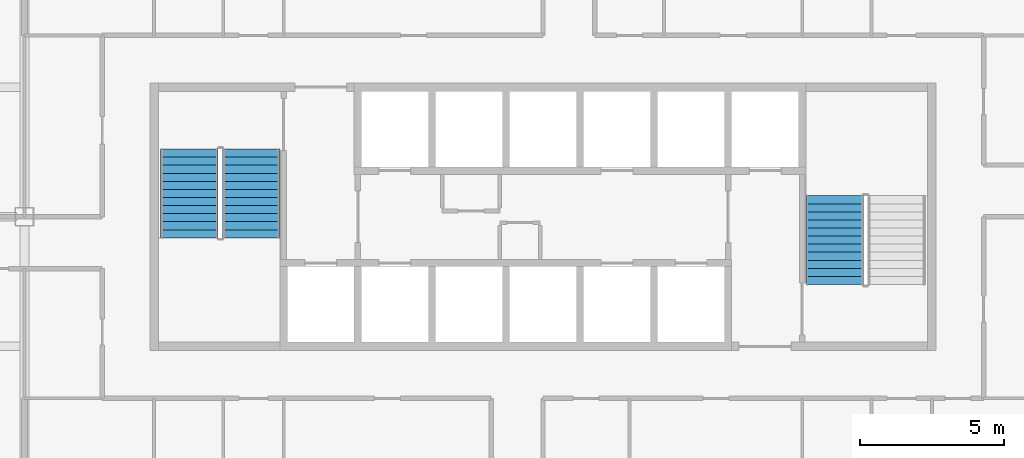
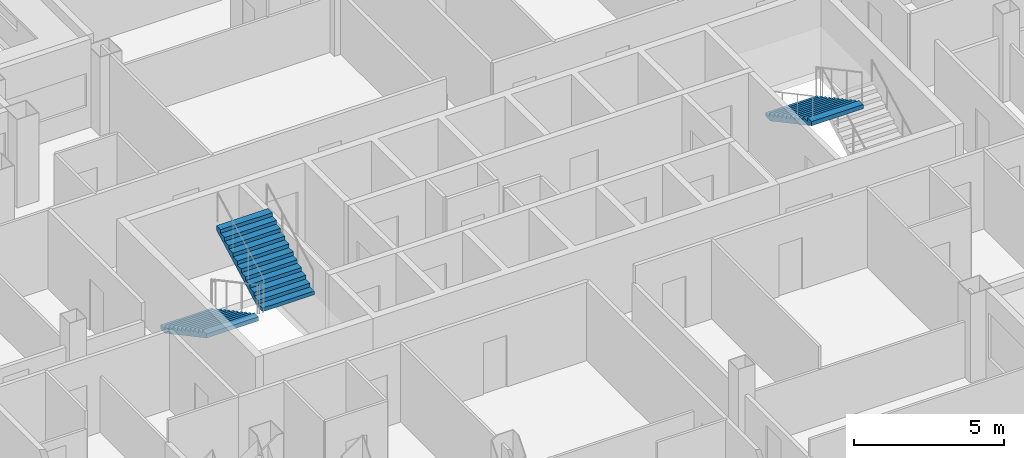
# One storey, part 13 of 17: 3 stair flights, 2 elements without a shape of their own.
"""IFC4 building model written with IfcOpenShell, lengths in metres."""

from ifc_helpers import new_model, si_unit, direction, frame, origin, place, context, subcontext, project, spatial, polygons, material, type_object, element, aggregate, save


model = new_model("IFC4")

# Units and contexts
model_context = context("Model", 3, precision=1e-05, world=origin(), true_north=direction((0.0, 1.0)))
body_context = subcontext(model_context, "Body", "Model", "MODEL_VIEW")
ifc_project = project(units=[si_unit("LENGTHUNIT", "METRE"), si_unit("AREAUNIT", "SQUARE_METRE"), si_unit("VOLUMEUNIT", "CUBIC_METRE"), si_unit("PLANEANGLEUNIT", "RADIAN"), si_unit("MASSUNIT", "GRAM", prefix="KILO")], contexts=[model_context])

# Site, building, storey
site_placement = place(None, origin())
site = spatial("IfcSite", under=ifc_project, at=site_placement, CompositionType="ELEMENT")
building_placement = place(site_placement, origin())
building = spatial("IfcBuilding", under=site, at=building_placement, Name="Caravel Reach Hotel and Residences", CompositionType="ELEMENT")
storey_placement = place(building_placement, frame((0.0, 0.0, 136.800048828125)))
storey = spatial("IfcBuildingStorey", under=building, at=storey_placement, Name="L34", CompositionType="ELEMENT", Elevation=136.800048828125)

# Stair, stair flights
ifc_material_1 = material(Name="Concrete C40", Category="concrete")
stair_type = type_object("IfcStairType", Name="Core stair", PredefinedType="HALF_TURN_STAIR", material=ifc_material_1)
stair_1_placement = place(storey_placement, origin())
stair_1 = element("IfcStair", 1, at=stair_1_placement, inside=storey, type_object=stair_type, Name="L34 Exit stair A", PredefinedType="HALF_TURN_STAIR")
ifc_material_2 = material(Name="Concrete C40", Category="concrete")
stair_flight_type = type_object("IfcStairFlightType", Name="Core stair flight", PredefinedType="STRAIGHT", material=ifc_material_2)
stair_flight_1_placement = place(storey_placement, frame((19.22509765625, 29.35009765625, 0.0), z_axis=(0.0, 0.0, 1.0), x_axis=(0.0, -1.0, 0.0)))
stair_flight_1 = element("IfcStairFlight", 2, at=stair_flight_1_placement, type_object=stair_flight_type, Name="ST-A flight 1", NumberOfRisers=12, NumberOfTreads=11, PredefinedType="STRAIGHT", RiserHeight=0.15, TreadLength=0.28, context=body_context, shape_type="Tessellation", body=[
    polygons([(0.3174408016601862, 1.0, 0.0), (0.3174408016601862, 0.6666666666666667, 0.0), (0.3174408016601862, 0.33333333333333337, 0.0), (0.3174408016601862, 0.0, 0.0), (0.3174408016601862, -0.33333333333333326, 0.0), (0.3174408016601862, -0.6666666666666667, 0.0), (0.3174408016601862, -1.0, 0.0), (3.081, 1.0, 1.479942427682043), (3.081, 0.6666666666666667, 1.479942427682043), (3.081, 0.33333333333333337, 1.479942427682043), (3.081, 0.0, 1.479942427682043), (3.081, -0.33333333333333326, 1.479942427682043), (3.081, -0.6666666666666667, 1.479942427682043), (3.081, -1.0, 1.479942427682043), (3.081, 1.0, 1.65), (3.081, 0.6666666666666667, 1.65), (3.081, 0.33333333333333337, 1.65), (3.081, 0.0, 1.65), (3.081, -0.33333333333333326, 1.65), (3.081, -0.6666666666666667, 1.65), (3.081, -1.0, 1.65), (2.8000000000000003, 1.0, 1.65), (2.8000000000000003, 0.6666666666666667, 1.65), (2.8000000000000003, 0.33333333333333337, 1.65), (2.8000000000000003, 0.0, 1.65), (2.8000000000000003, -0.33333333333333326, 1.65), (2.8000000000000003, -0.6666666666666667, 1.65), (2.8000000000000003, -1.0, 1.65), (2.8000000000000003, 1.0, 1.5), (2.8000000000000003, 0.6666666666666667, 1.5), (2.8000000000000003, 0.33333333333333337, 1.5), (2.8000000000000003, 0.0, 1.5), (2.8000000000000003, -0.33333333333333326, 1.5), (2.8000000000000003, -0.6666666666666667, 1.5), (2.8000000000000003, -1.0, 1.5), (2.5200000000000005, 1.0, 1.5), (2.5200000000000005, 0.6666666666666667, 1.5), (2.5200000000000005, 0.33333333333333337, 1.5), (2.5200000000000005, 0.0, 1.5), (2.5200000000000005, -0.33333333333333326, 1.5), (2.5200000000000005, -0.6666666666666667, 1.5), (2.5200000000000005, -1.0, 1.5), (2.5200000000000005, 1.0, 1.3499999999999999), (2.5200000000000005, 0.6666666666666667, 1.3499999999999999), (2.5200000000000005, 0.33333333333333337, 1.3499999999999999), (2.5200000000000005, 0.0, 1.3499999999999999), (2.5200000000000005, -0.33333333333333326, 1.3499999999999999), (2.5200000000000005, -0.6666666666666667, 1.3499999999999999), (2.5200000000000005, -1.0, 1.3499999999999999), (2.24, 1.0, 1.3499999999999999), (2.24, 0.6666666666666667, 1.3499999999999999), (2.24, 0.33333333333333337, 1.3499999999999999), (2.24, 0.0, 1.3499999999999999), (2.24, -0.33333333333333326, 1.3499999999999999), (2.24, -0.6666666666666667, 1.3499999999999999), (2.24, -1.0, 1.3499999999999999), (2.24, 1.0, 1.2), (2.24, 0.6666666666666667, 1.2), (2.24, 0.33333333333333337, 1.2), (2.24, 0.0, 1.2), (2.24, -0.33333333333333326, 1.2), (2.24, -0.6666666666666667, 1.2), (2.24, -1.0, 1.2), (1.9600000000000002, 1.0, 1.2), (1.9600000000000002, 0.6666666666666667, 1.2), (1.9600000000000002, 0.33333333333333337, 1.2), (1.9600000000000002, 0.0, 1.2), (1.9600000000000002, -0.33333333333333326, 1.2), (1.9600000000000002, -0.6666666666666667, 1.2), (1.9600000000000002, -1.0, 1.2), (1.9600000000000002, 1.0, 1.05), (1.9600000000000002, 0.6666666666666667, 1.05), (1.9600000000000002, 0.33333333333333337, 1.05), (1.9600000000000002, 0.0, 1.05), (1.9600000000000002, -0.33333333333333326, 1.05), (1.9600000000000002, -0.6666666666666667, 1.05), (1.9600000000000002, -1.0, 1.05), (1.6800000000000002, 1.0, 1.05), (1.6800000000000002, 0.6666666666666667, 1.05), (1.6800000000000002, 0.33333333333333337, 1.05), (1.6800000000000002, 0.0, 1.05), (1.6800000000000002, -0.33333333333333326, 1.05), (1.6800000000000002, -0.6666666666666667, 1.05), (1.6800000000000002, -1.0, 1.05), (1.6800000000000002, 1.0, 0.8999999999999999), (1.6800000000000002, 0.6666666666666667, 0.8999999999999999), (1.6800000000000002, 0.33333333333333337, 0.8999999999999999), (1.6800000000000002, 0.0, 0.8999999999999999), (1.6800000000000002, -0.33333333333333326, 0.8999999999999999), (1.6800000000000002, -0.6666666666666667, 0.8999999999999999), (1.6800000000000002, -1.0, 0.8999999999999999), (1.4000000000000001, 1.0, 0.8999999999999999), (1.4000000000000001, 0.6666666666666667, 0.8999999999999999), (1.4000000000000001, 0.33333333333333337, 0.8999999999999999), (1.4000000000000001, 0.0, 0.8999999999999999), (1.4000000000000001, -0.33333333333333326, 0.8999999999999999), (1.4000000000000001, -0.6666666666666667, 0.8999999999999999), (1.4000000000000001, -1.0, 0.8999999999999999), (1.4000000000000001, 1.0, 0.75), (1.4000000000000001, 0.6666666666666667, 0.75), (1.4000000000000001, 0.33333333333333337, 0.75), (1.4000000000000001, 0.0, 0.75), (1.4000000000000001, -0.33333333333333326, 0.75), (1.4000000000000001, -0.6666666666666667, 0.75), (1.4000000000000001, -1.0, 0.75), (1.12, 1.0, 0.75), (1.12, 0.6666666666666667, 0.75), (1.12, 0.33333333333333337, 0.75), (1.12, 0.0, 0.75), (1.12, -0.33333333333333326, 0.75), (1.12, -0.6666666666666667, 0.75), (1.12, -1.0, 0.75), (1.12, 1.0, 0.6), (1.12, 0.6666666666666667, 0.6), (1.12, 0.33333333333333337, 0.6), (1.12, 0.0, 0.6), (1.12, -0.33333333333333326, 0.6), (1.12, -0.6666666666666667, 0.6), (1.12, -1.0, 0.6), (0.8400000000000001, 1.0, 0.6), (0.8400000000000001, 0.6666666666666667, 0.6), (0.8400000000000001, 0.33333333333333337, 0.6), (0.8400000000000001, 0.0, 0.6), (0.8400000000000001, -0.33333333333333326, 0.6), (0.8400000000000001, -0.6666666666666667, 0.6), (0.8400000000000001, -1.0, 0.6), (0.8400000000000001, 1.0, 0.44999999999999996), (0.8400000000000001, 0.6666666666666667, 0.44999999999999996), (0.8400000000000001, 0.33333333333333337, 0.44999999999999996), (0.8400000000000001, 0.0, 0.44999999999999996), (0.8400000000000001, -0.33333333333333326, 0.44999999999999996), (0.8400000000000001, -0.6666666666666667, 0.44999999999999996), (0.8400000000000001, -1.0, 0.44999999999999996), (0.56, 1.0, 0.44999999999999996), (0.56, 0.6666666666666667, 0.44999999999999996), (0.56, 0.33333333333333337, 0.44999999999999996), (0.56, 0.0, 0.44999999999999996), (0.56, -0.33333333333333326, 0.44999999999999996), (0.56, -0.6666666666666667, 0.44999999999999996), (0.56, -1.0, 0.44999999999999996), (0.56, 1.0, 0.3), (0.56, 0.6666666666666667, 0.3), (0.56, 0.33333333333333337, 0.3), (0.56, 0.0, 0.3), (0.56, -0.33333333333333326, 0.3), (0.56, -0.6666666666666667, 0.3), (0.56, -1.0, 0.3), (0.28, 1.0, 0.3), (0.28, 0.6666666666666667, 0.3), (0.28, 0.33333333333333337, 0.3), (0.28, 0.0, 0.3), (0.28, -0.33333333333333326, 0.3), (0.28, -0.6666666666666667, 0.3), (0.28, -1.0, 0.3), (0.28, 1.0, 0.15), (0.28, 0.6666666666666667, 0.15), (0.28, 0.33333333333333337, 0.15), (0.28, 0.0, 0.15), (0.28, -0.33333333333333326, 0.15), (0.28, -0.6666666666666667, 0.15), (0.28, -1.0, 0.15), (-0.001, 1.0, 0.15), (-0.001, 0.6666666666666667, 0.15), (-0.001, 0.33333333333333337, 0.15), (-0.001, 0.0, 0.15), (-0.001, -0.33333333333333326, 0.15), (-0.001, -0.6666666666666667, 0.15), (-0.001, -1.0, 0.15), (-0.001, 1.0, 0.0), (-0.001, 0.6666666666666667, 0.0), (-0.001, 0.33333333333333337, 0.0), (-0.001, 0.0, 0.0), (-0.001, -0.33333333333333326, 0.0), (-0.001, -0.6666666666666667, 0.0), (-0.001, -1.0, 0.0)], [[[169, 162, 155, 148, 141, 134, 127, 120, 113, 106, 99, 92, 85, 78, 71, 64, 57, 50, 43, 36, 29, 22, 15, 8, 1]], [[7, 14, 21, 28, 35, 42, 49, 56, 63, 70, 77, 84, 91, 98, 105, 112, 119, 126, 133, 140, 147, 154, 161, 168, 175]], [[1, 8, 9, 2]], [[2, 9, 10, 3]], [[3, 10, 11, 4]], [[4, 11, 12, 5]], [[5, 12, 13, 6]], [[6, 13, 14, 7]], [[8, 15, 16, 9]], [[9, 16, 17, 10]], [[10, 17, 18, 11]], [[11, 18, 19, 12]], [[12, 19, 20, 13]], [[13, 20, 21, 14]], [[15, 22, 23, 16]], [[16, 23, 24, 17]], [[17, 24, 25, 18]], [[18, 25, 26, 19]], [[19, 26, 27, 20]], [[20, 27, 28, 21]], [[22, 29, 30, 23]], [[23, 30, 31, 24]], [[24, 31, 32, 25]], [[25, 32, 33, 26]], [[26, 33, 34, 27]], [[27, 34, 35, 28]], [[29, 36, 37, 30]], [[30, 37, 38, 31]], [[31, 38, 39, 32]], [[32, 39, 40, 33]], [[33, 40, 41, 34]], [[34, 41, 42, 35]], [[36, 43, 44, 37]], [[37, 44, 45, 38]], [[38, 45, 46, 39]], [[39, 46, 47, 40]], [[40, 47, 48, 41]], [[41, 48, 49, 42]], [[43, 50, 51, 44]], [[44, 51, 52, 45]], [[45, 52, 53, 46]], [[46, 53, 54, 47]], [[47, 54, 55, 48]], [[48, 55, 56, 49]], [[50, 57, 58, 51]], [[51, 58, 59, 52]], [[52, 59, 60, 53]], [[53, 60, 61, 54]], [[54, 61, 62, 55]], [[55, 62, 63, 56]], [[57, 64, 65, 58]], [[58, 65, 66, 59]], [[59, 66, 67, 60]], [[60, 67, 68, 61]], [[61, 68, 69, 62]], [[62, 69, 70, 63]], [[64, 71, 72, 65]], [[65, 72, 73, 66]], [[66, 73, 74, 67]], [[67, 74, 75, 68]], [[68, 75, 76, 69]], [[69, 76, 77, 70]], [[71, 78, 79, 72]], [[72, 79, 80, 73]], [[73, 80, 81, 74]], [[74, 81, 82, 75]], [[75, 82, 83, 76]], [[76, 83, 84, 77]], [[78, 85, 86, 79]], [[79, 86, 87, 80]], [[80, 87, 88, 81]], [[81, 88, 89, 82]], [[82, 89, 90, 83]], [[83, 90, 91, 84]], [[85, 92, 93, 86]], [[86, 93, 94, 87]], [[87, 94, 95, 88]], [[88, 95, 96, 89]], [[89, 96, 97, 90]], [[90, 97, 98, 91]], [[92, 99, 100, 93]], [[93, 100, 101, 94]], [[94, 101, 102, 95]], [[95, 102, 103, 96]], [[96, 103, 104, 97]], [[97, 104, 105, 98]], [[99, 106, 107, 100]], [[100, 107, 108, 101]], [[101, 108, 109, 102]], [[102, 109, 110, 103]], [[103, 110, 111, 104]], [[104, 111, 112, 105]], [[106, 113, 114, 107]], [[107, 114, 115, 108]], [[108, 115, 116, 109]], [[109, 116, 117, 110]], [[110, 117, 118, 111]], [[111, 118, 119, 112]], [[113, 120, 121, 114]], [[114, 121, 122, 115]], [[115, 122, 123, 116]], [[116, 123, 124, 117]], [[117, 124, 125, 118]], [[118, 125, 126, 119]], [[120, 127, 128, 121]], [[121, 128, 129, 122]], [[122, 129, 130, 123]], [[123, 130, 131, 124]], [[124, 131, 132, 125]], [[125, 132, 133, 126]], [[127, 134, 135, 128]], [[128, 135, 136, 129]], [[129, 136, 137, 130]], [[130, 137, 138, 131]], [[131, 138, 139, 132]], [[132, 139, 140, 133]], [[134, 141, 142, 135]], [[135, 142, 143, 136]], [[136, 143, 144, 137]], [[137, 144, 145, 138]], [[138, 145, 146, 139]], [[139, 146, 147, 140]], [[141, 148, 149, 142]], [[142, 149, 150, 143]], [[143, 150, 151, 144]], [[144, 151, 152, 145]], [[145, 152, 153, 146]], [[146, 153, 154, 147]], [[148, 155, 156, 149]], [[149, 156, 157, 150]], [[150, 157, 158, 151]], [[151, 158, 159, 152]], [[152, 159, 160, 153]], [[153, 160, 161, 154]], [[155, 162, 163, 156]], [[156, 163, 164, 157]], [[157, 164, 165, 158]], [[158, 165, 166, 159]], [[159, 166, 167, 160]], [[160, 167, 168, 161]], [[162, 169, 170, 163]], [[163, 170, 171, 164]], [[164, 171, 172, 165]], [[165, 172, 173, 166]], [[166, 173, 174, 167]], [[167, 174, 175, 168]], [[169, 1, 2, 170]], [[170, 2, 3, 171]], [[171, 3, 4, 172]], [[172, 4, 5, 173]], [[173, 5, 6, 174]], [[174, 6, 7, 175]]], closed=True),
])
stair_flight_2_placement = place(storey_placement, frame((21.375, 26.27001953125, 1.800048828125), z_axis=(0.0, 0.0, 1.0), x_axis=(0.0, 1.0, 0.0)))
stair_flight_2 = element("IfcStairFlight", 3, at=stair_flight_2_placement, type_object=stair_flight_type, Name="ST-A flight 2", NumberOfRisers=12, NumberOfTreads=11, PredefinedType="STRAIGHT", RiserHeight=0.15, TreadLength=0.28, context=body_context, shape_type="Tessellation", body=[
    polygons([(0.3174408016601862, 1.0, 0.0), (0.3174408016601862, 0.6666666666666667, 0.0), (0.3174408016601862, 0.33333333333333337, 0.0), (0.3174408016601862, 0.0, 0.0), (0.3174408016601862, -0.33333333333333326, 0.0), (0.3174408016601862, -0.6666666666666667, 0.0), (0.3174408016601862, -1.0, 0.0), (3.081, 1.0, 1.479942427682043), (3.081, 0.6666666666666667, 1.479942427682043), (3.081, 0.33333333333333337, 1.479942427682043), (3.081, 0.0, 1.479942427682043), (3.081, -0.33333333333333326, 1.479942427682043), (3.081, -0.6666666666666667, 1.479942427682043), (3.081, -1.0, 1.479942427682043), (3.081, 1.0, 1.65), (3.081, 0.6666666666666667, 1.65), (3.081, 0.33333333333333337, 1.65), (3.081, 0.0, 1.65), (3.081, -0.33333333333333326, 1.65), (3.081, -0.6666666666666667, 1.65), (3.081, -1.0, 1.65), (2.8000000000000003, 1.0, 1.65), (2.8000000000000003, 0.6666666666666667, 1.65), (2.8000000000000003, 0.33333333333333337, 1.65), (2.8000000000000003, 0.0, 1.65), (2.8000000000000003, -0.33333333333333326, 1.65), (2.8000000000000003, -0.6666666666666667, 1.65), (2.8000000000000003, -1.0, 1.65), (2.8000000000000003, 1.0, 1.5), (2.8000000000000003, 0.6666666666666667, 1.5), (2.8000000000000003, 0.33333333333333337, 1.5), (2.8000000000000003, 0.0, 1.5), (2.8000000000000003, -0.33333333333333326, 1.5), (2.8000000000000003, -0.6666666666666667, 1.5), (2.8000000000000003, -1.0, 1.5), (2.5200000000000005, 1.0, 1.5), (2.5200000000000005, 0.6666666666666667, 1.5), (2.5200000000000005, 0.33333333333333337, 1.5), (2.5200000000000005, 0.0, 1.5), (2.5200000000000005, -0.33333333333333326, 1.5), (2.5200000000000005, -0.6666666666666667, 1.5), (2.5200000000000005, -1.0, 1.5), (2.5200000000000005, 1.0, 1.3499999999999999), (2.5200000000000005, 0.6666666666666667, 1.3499999999999999), (2.5200000000000005, 0.33333333333333337, 1.3499999999999999), (2.5200000000000005, 0.0, 1.3499999999999999), (2.5200000000000005, -0.33333333333333326, 1.3499999999999999), (2.5200000000000005, -0.6666666666666667, 1.3499999999999999), (2.5200000000000005, -1.0, 1.3499999999999999), (2.24, 1.0, 1.3499999999999999), (2.24, 0.6666666666666667, 1.3499999999999999), (2.24, 0.33333333333333337, 1.3499999999999999), (2.24, 0.0, 1.3499999999999999), (2.24, -0.33333333333333326, 1.3499999999999999), (2.24, -0.6666666666666667, 1.3499999999999999), (2.24, -1.0, 1.3499999999999999), (2.24, 1.0, 1.2), (2.24, 0.6666666666666667, 1.2), (2.24, 0.33333333333333337, 1.2), (2.24, 0.0, 1.2), (2.24, -0.33333333333333326, 1.2), (2.24, -0.6666666666666667, 1.2), (2.24, -1.0, 1.2), (1.9600000000000002, 1.0, 1.2), (1.9600000000000002, 0.6666666666666667, 1.2), (1.9600000000000002, 0.33333333333333337, 1.2), (1.9600000000000002, 0.0, 1.2), (1.9600000000000002, -0.33333333333333326, 1.2), (1.9600000000000002, -0.6666666666666667, 1.2), (1.9600000000000002, -1.0, 1.2), (1.9600000000000002, 1.0, 1.05), (1.9600000000000002, 0.6666666666666667, 1.05), (1.9600000000000002, 0.33333333333333337, 1.05), (1.9600000000000002, 0.0, 1.05), (1.9600000000000002, -0.33333333333333326, 1.05), (1.9600000000000002, -0.6666666666666667, 1.05), (1.9600000000000002, -1.0, 1.05), (1.6800000000000002, 1.0, 1.05), (1.6800000000000002, 0.6666666666666667, 1.05), (1.6800000000000002, 0.33333333333333337, 1.05), (1.6800000000000002, 0.0, 1.05), (1.6800000000000002, -0.33333333333333326, 1.05), (1.6800000000000002, -0.6666666666666667, 1.05), (1.6800000000000002, -1.0, 1.05), (1.6800000000000002, 1.0, 0.8999999999999999), (1.6800000000000002, 0.6666666666666667, 0.8999999999999999), (1.6800000000000002, 0.33333333333333337, 0.8999999999999999), (1.6800000000000002, 0.0, 0.8999999999999999), (1.6800000000000002, -0.33333333333333326, 0.8999999999999999), (1.6800000000000002, -0.6666666666666667, 0.8999999999999999), (1.6800000000000002, -1.0, 0.8999999999999999), (1.4000000000000001, 1.0, 0.8999999999999999), (1.4000000000000001, 0.6666666666666667, 0.8999999999999999), (1.4000000000000001, 0.33333333333333337, 0.8999999999999999), (1.4000000000000001, 0.0, 0.8999999999999999), (1.4000000000000001, -0.33333333333333326, 0.8999999999999999), (1.4000000000000001, -0.6666666666666667, 0.8999999999999999), (1.4000000000000001, -1.0, 0.8999999999999999), (1.4000000000000001, 1.0, 0.75), (1.4000000000000001, 0.6666666666666667, 0.75), (1.4000000000000001, 0.33333333333333337, 0.75), (1.4000000000000001, 0.0, 0.75), (1.4000000000000001, -0.33333333333333326, 0.75), (1.4000000000000001, -0.6666666666666667, 0.75), (1.4000000000000001, -1.0, 0.75), (1.12, 1.0, 0.75), (1.12, 0.6666666666666667, 0.75), (1.12, 0.33333333333333337, 0.75), (1.12, 0.0, 0.75), (1.12, -0.33333333333333326, 0.75), (1.12, -0.6666666666666667, 0.75), (1.12, -1.0, 0.75), (1.12, 1.0, 0.6), (1.12, 0.6666666666666667, 0.6), (1.12, 0.33333333333333337, 0.6), (1.12, 0.0, 0.6), (1.12, -0.33333333333333326, 0.6), (1.12, -0.6666666666666667, 0.6), (1.12, -1.0, 0.6), (0.8400000000000001, 1.0, 0.6), (0.8400000000000001, 0.6666666666666667, 0.6), (0.8400000000000001, 0.33333333333333337, 0.6), (0.8400000000000001, 0.0, 0.6), (0.8400000000000001, -0.33333333333333326, 0.6), (0.8400000000000001, -0.6666666666666667, 0.6), (0.8400000000000001, -1.0, 0.6), (0.8400000000000001, 1.0, 0.44999999999999996), (0.8400000000000001, 0.6666666666666667, 0.44999999999999996), (0.8400000000000001, 0.33333333333333337, 0.44999999999999996), (0.8400000000000001, 0.0, 0.44999999999999996), (0.8400000000000001, -0.33333333333333326, 0.44999999999999996), (0.8400000000000001, -0.6666666666666667, 0.44999999999999996), (0.8400000000000001, -1.0, 0.44999999999999996), (0.56, 1.0, 0.44999999999999996), (0.56, 0.6666666666666667, 0.44999999999999996), (0.56, 0.33333333333333337, 0.44999999999999996), (0.56, 0.0, 0.44999999999999996), (0.56, -0.33333333333333326, 0.44999999999999996), (0.56, -0.6666666666666667, 0.44999999999999996), (0.56, -1.0, 0.44999999999999996), (0.56, 1.0, 0.3), (0.56, 0.6666666666666667, 0.3), (0.56, 0.33333333333333337, 0.3), (0.56, 0.0, 0.3), (0.56, -0.33333333333333326, 0.3), (0.56, -0.6666666666666667, 0.3), (0.56, -1.0, 0.3), (0.28, 1.0, 0.3), (0.28, 0.6666666666666667, 0.3), (0.28, 0.33333333333333337, 0.3), (0.28, 0.0, 0.3), (0.28, -0.33333333333333326, 0.3), (0.28, -0.6666666666666667, 0.3), (0.28, -1.0, 0.3), (0.28, 1.0, 0.15), (0.28, 0.6666666666666667, 0.15), (0.28, 0.33333333333333337, 0.15), (0.28, 0.0, 0.15), (0.28, -0.33333333333333326, 0.15), (0.28, -0.6666666666666667, 0.15), (0.28, -1.0, 0.15), (-0.001, 1.0, 0.15), (-0.001, 0.6666666666666667, 0.15), (-0.001, 0.33333333333333337, 0.15), (-0.001, 0.0, 0.15), (-0.001, -0.33333333333333326, 0.15), (-0.001, -0.6666666666666667, 0.15), (-0.001, -1.0, 0.15), (-0.001, 1.0, 0.0), (-0.001, 0.6666666666666667, 0.0), (-0.001, 0.33333333333333337, 0.0), (-0.001, 0.0, 0.0), (-0.001, -0.33333333333333326, 0.0), (-0.001, -0.6666666666666667, 0.0), (-0.001, -1.0, 0.0)], [[[169, 162, 155, 148, 141, 134, 127, 120, 113, 106, 99, 92, 85, 78, 71, 64, 57, 50, 43, 36, 29, 22, 15, 8, 1]], [[7, 14, 21, 28, 35, 42, 49, 56, 63, 70, 77, 84, 91, 98, 105, 112, 119, 126, 133, 140, 147, 154, 161, 168, 175]], [[1, 8, 9, 2]], [[2, 9, 10, 3]], [[3, 10, 11, 4]], [[4, 11, 12, 5]], [[5, 12, 13, 6]], [[6, 13, 14, 7]], [[8, 15, 16, 9]], [[9, 16, 17, 10]], [[10, 17, 18, 11]], [[11, 18, 19, 12]], [[12, 19, 20, 13]], [[13, 20, 21, 14]], [[15, 22, 23, 16]], [[16, 23, 24, 17]], [[17, 24, 25, 18]], [[18, 25, 26, 19]], [[19, 26, 27, 20]], [[20, 27, 28, 21]], [[22, 29, 30, 23]], [[23, 30, 31, 24]], [[24, 31, 32, 25]], [[25, 32, 33, 26]], [[26, 33, 34, 27]], [[27, 34, 35, 28]], [[29, 36, 37, 30]], [[30, 37, 38, 31]], [[31, 38, 39, 32]], [[32, 39, 40, 33]], [[33, 40, 41, 34]], [[34, 41, 42, 35]], [[36, 43, 44, 37]], [[37, 44, 45, 38]], [[38, 45, 46, 39]], [[39, 46, 47, 40]], [[40, 47, 48, 41]], [[41, 48, 49, 42]], [[43, 50, 51, 44]], [[44, 51, 52, 45]], [[45, 52, 53, 46]], [[46, 53, 54, 47]], [[47, 54, 55, 48]], [[48, 55, 56, 49]], [[50, 57, 58, 51]], [[51, 58, 59, 52]], [[52, 59, 60, 53]], [[53, 60, 61, 54]], [[54, 61, 62, 55]], [[55, 62, 63, 56]], [[57, 64, 65, 58]], [[58, 65, 66, 59]], [[59, 66, 67, 60]], [[60, 67, 68, 61]], [[61, 68, 69, 62]], [[62, 69, 70, 63]], [[64, 71, 72, 65]], [[65, 72, 73, 66]], [[66, 73, 74, 67]], [[67, 74, 75, 68]], [[68, 75, 76, 69]], [[69, 76, 77, 70]], [[71, 78, 79, 72]], [[72, 79, 80, 73]], [[73, 80, 81, 74]], [[74, 81, 82, 75]], [[75, 82, 83, 76]], [[76, 83, 84, 77]], [[78, 85, 86, 79]], [[79, 86, 87, 80]], [[80, 87, 88, 81]], [[81, 88, 89, 82]], [[82, 89, 90, 83]], [[83, 90, 91, 84]], [[85, 92, 93, 86]], [[86, 93, 94, 87]], [[87, 94, 95, 88]], [[88, 95, 96, 89]], [[89, 96, 97, 90]], [[90, 97, 98, 91]], [[92, 99, 100, 93]], [[93, 100, 101, 94]], [[94, 101, 102, 95]], [[95, 102, 103, 96]], [[96, 103, 104, 97]], [[97, 104, 105, 98]], [[99, 106, 107, 100]], [[100, 107, 108, 101]], [[101, 108, 109, 102]], [[102, 109, 110, 103]], [[103, 110, 111, 104]], [[104, 111, 112, 105]], [[106, 113, 114, 107]], [[107, 114, 115, 108]], [[108, 115, 116, 109]], [[109, 116, 117, 110]], [[110, 117, 118, 111]], [[111, 118, 119, 112]], [[113, 120, 121, 114]], [[114, 121, 122, 115]], [[115, 122, 123, 116]], [[116, 123, 124, 117]], [[117, 124, 125, 118]], [[118, 125, 126, 119]], [[120, 127, 128, 121]], [[121, 128, 129, 122]], [[122, 129, 130, 123]], [[123, 130, 131, 124]], [[124, 131, 132, 125]], [[125, 132, 133, 126]], [[127, 134, 135, 128]], [[128, 135, 136, 129]], [[129, 136, 137, 130]], [[130, 137, 138, 131]], [[131, 138, 139, 132]], [[132, 139, 140, 133]], [[134, 141, 142, 135]], [[135, 142, 143, 136]], [[136, 143, 144, 137]], [[137, 144, 145, 138]], [[138, 145, 146, 139]], [[139, 146, 147, 140]], [[141, 148, 149, 142]], [[142, 149, 150, 143]], [[143, 150, 151, 144]], [[144, 151, 152, 145]], [[145, 152, 153, 146]], [[146, 153, 154, 147]], [[148, 155, 156, 149]], [[149, 156, 157, 150]], [[150, 157, 158, 151]], [[151, 158, 159, 152]], [[152, 159, 160, 153]], [[153, 160, 161, 154]], [[155, 162, 163, 156]], [[156, 163, 164, 157]], [[157, 164, 165, 158]], [[158, 165, 166, 159]], [[159, 166, 167, 160]], [[160, 167, 168, 161]], [[162, 169, 170, 163]], [[163, 170, 171, 164]], [[164, 171, 172, 165]], [[165, 172, 173, 166]], [[166, 173, 174, 167]], [[167, 174, 175, 168]], [[169, 1, 2, 170]], [[170, 2, 3, 171]], [[171, 3, 4, 172]], [[172, 4, 5, 173]], [[173, 5, 6, 174]], [[174, 6, 7, 175]]], closed=True),
])
aggregate(stair_1, [stair_flight_1, stair_flight_2])

# Stair, stair flight
stair_2_placement = place(storey_placement, origin())
stair_2 = element("IfcStair", 4, at=stair_2_placement, inside=storey, type_object=stair_type, Name="L34 Exit stair B", PredefinedType="HALF_TURN_STAIR")
stair_flight_3_placement = place(storey_placement, frame((41.625, 27.72998046875, 1.800048828125), z_axis=(0.0, 0.0, 1.0), x_axis=(0.0, -1.0, 0.0)))
stair_flight_3 = element("IfcStairFlight", 5, at=stair_flight_3_placement, type_object=stair_flight_type, Name="ST-B flight 2", NumberOfRisers=12, NumberOfTreads=11, PredefinedType="STRAIGHT", RiserHeight=0.15, TreadLength=0.28, context=body_context, shape_type="Tessellation", body=[
    polygons([(0.3174408016601862, 1.0, 0.0), (0.3174408016601862, 0.6666666666666667, 0.0), (0.3174408016601862, 0.33333333333333337, 0.0), (0.3174408016601862, 0.0, 0.0), (0.3174408016601862, -0.33333333333333326, 0.0), (0.3174408016601862, -0.6666666666666667, 0.0), (0.3174408016601862, -1.0, 0.0), (3.081, 1.0, 1.479942427682043), (3.081, 0.6666666666666667, 1.479942427682043), (3.081, 0.33333333333333337, 1.479942427682043), (3.081, 0.0, 1.479942427682043), (3.081, -0.33333333333333326, 1.479942427682043), (3.081, -0.6666666666666667, 1.479942427682043), (3.081, -1.0, 1.479942427682043), (3.081, 1.0, 1.65), (3.081, 0.6666666666666667, 1.65), (3.081, 0.33333333333333337, 1.65), (3.081, 0.0, 1.65), (3.081, -0.33333333333333326, 1.65), (3.081, -0.6666666666666667, 1.65), (3.081, -1.0, 1.65), (2.8000000000000003, 1.0, 1.65), (2.8000000000000003, 0.6666666666666667, 1.65), (2.8000000000000003, 0.33333333333333337, 1.65), (2.8000000000000003, 0.0, 1.65), (2.8000000000000003, -0.33333333333333326, 1.65), (2.8000000000000003, -0.6666666666666667, 1.65), (2.8000000000000003, -1.0, 1.65), (2.8000000000000003, 1.0, 1.5), (2.8000000000000003, 0.6666666666666667, 1.5), (2.8000000000000003, 0.33333333333333337, 1.5), (2.8000000000000003, 0.0, 1.5), (2.8000000000000003, -0.33333333333333326, 1.5), (2.8000000000000003, -0.6666666666666667, 1.5), (2.8000000000000003, -1.0, 1.5), (2.5200000000000005, 1.0, 1.5), (2.5200000000000005, 0.6666666666666667, 1.5), (2.5200000000000005, 0.33333333333333337, 1.5), (2.5200000000000005, 0.0, 1.5), (2.5200000000000005, -0.33333333333333326, 1.5), (2.5200000000000005, -0.6666666666666667, 1.5), (2.5200000000000005, -1.0, 1.5), (2.5200000000000005, 1.0, 1.3499999999999999), (2.5200000000000005, 0.6666666666666667, 1.3499999999999999), (2.5200000000000005, 0.33333333333333337, 1.3499999999999999), (2.5200000000000005, 0.0, 1.3499999999999999), (2.5200000000000005, -0.33333333333333326, 1.3499999999999999), (2.5200000000000005, -0.6666666666666667, 1.3499999999999999), (2.5200000000000005, -1.0, 1.3499999999999999), (2.24, 1.0, 1.3499999999999999), (2.24, 0.6666666666666667, 1.3499999999999999), (2.24, 0.33333333333333337, 1.3499999999999999), (2.24, 0.0, 1.3499999999999999), (2.24, -0.33333333333333326, 1.3499999999999999), (2.24, -0.6666666666666667, 1.3499999999999999), (2.24, -1.0, 1.3499999999999999), (2.24, 1.0, 1.2), (2.24, 0.6666666666666667, 1.2), (2.24, 0.33333333333333337, 1.2), (2.24, 0.0, 1.2), (2.24, -0.33333333333333326, 1.2), (2.24, -0.6666666666666667, 1.2), (2.24, -1.0, 1.2), (1.9600000000000002, 1.0, 1.2), (1.9600000000000002, 0.6666666666666667, 1.2), (1.9600000000000002, 0.33333333333333337, 1.2), (1.9600000000000002, 0.0, 1.2), (1.9600000000000002, -0.33333333333333326, 1.2), (1.9600000000000002, -0.6666666666666667, 1.2), (1.9600000000000002, -1.0, 1.2), (1.9600000000000002, 1.0, 1.05), (1.9600000000000002, 0.6666666666666667, 1.05), (1.9600000000000002, 0.33333333333333337, 1.05), (1.9600000000000002, 0.0, 1.05), (1.9600000000000002, -0.33333333333333326, 1.05), (1.9600000000000002, -0.6666666666666667, 1.05), (1.9600000000000002, -1.0, 1.05), (1.6800000000000002, 1.0, 1.05), (1.6800000000000002, 0.6666666666666667, 1.05), (1.6800000000000002, 0.33333333333333337, 1.05), (1.6800000000000002, 0.0, 1.05), (1.6800000000000002, -0.33333333333333326, 1.05), (1.6800000000000002, -0.6666666666666667, 1.05), (1.6800000000000002, -1.0, 1.05), (1.6800000000000002, 1.0, 0.8999999999999999), (1.6800000000000002, 0.6666666666666667, 0.8999999999999999), (1.6800000000000002, 0.33333333333333337, 0.8999999999999999), (1.6800000000000002, 0.0, 0.8999999999999999), (1.6800000000000002, -0.33333333333333326, 0.8999999999999999), (1.6800000000000002, -0.6666666666666667, 0.8999999999999999), (1.6800000000000002, -1.0, 0.8999999999999999), (1.4000000000000001, 1.0, 0.8999999999999999), (1.4000000000000001, 0.6666666666666667, 0.8999999999999999), (1.4000000000000001, 0.33333333333333337, 0.8999999999999999), (1.4000000000000001, 0.0, 0.8999999999999999), (1.4000000000000001, -0.33333333333333326, 0.8999999999999999), (1.4000000000000001, -0.6666666666666667, 0.8999999999999999), (1.4000000000000001, -1.0, 0.8999999999999999), (1.4000000000000001, 1.0, 0.75), (1.4000000000000001, 0.6666666666666667, 0.75), (1.4000000000000001, 0.33333333333333337, 0.75), (1.4000000000000001, 0.0, 0.75), (1.4000000000000001, -0.33333333333333326, 0.75), (1.4000000000000001, -0.6666666666666667, 0.75), (1.4000000000000001, -1.0, 0.75), (1.12, 1.0, 0.75), (1.12, 0.6666666666666667, 0.75), (1.12, 0.33333333333333337, 0.75), (1.12, 0.0, 0.75), (1.12, -0.33333333333333326, 0.75), (1.12, -0.6666666666666667, 0.75), (1.12, -1.0, 0.75), (1.12, 1.0, 0.6), (1.12, 0.6666666666666667, 0.6), (1.12, 0.33333333333333337, 0.6), (1.12, 0.0, 0.6), (1.12, -0.33333333333333326, 0.6), (1.12, -0.6666666666666667, 0.6), (1.12, -1.0, 0.6), (0.8400000000000001, 1.0, 0.6), (0.8400000000000001, 0.6666666666666667, 0.6), (0.8400000000000001, 0.33333333333333337, 0.6), (0.8400000000000001, 0.0, 0.6), (0.8400000000000001, -0.33333333333333326, 0.6), (0.8400000000000001, -0.6666666666666667, 0.6), (0.8400000000000001, -1.0, 0.6), (0.8400000000000001, 1.0, 0.44999999999999996), (0.8400000000000001, 0.6666666666666667, 0.44999999999999996), (0.8400000000000001, 0.33333333333333337, 0.44999999999999996), (0.8400000000000001, 0.0, 0.44999999999999996), (0.8400000000000001, -0.33333333333333326, 0.44999999999999996), (0.8400000000000001, -0.6666666666666667, 0.44999999999999996), (0.8400000000000001, -1.0, 0.44999999999999996), (0.56, 1.0, 0.44999999999999996), (0.56, 0.6666666666666667, 0.44999999999999996), (0.56, 0.33333333333333337, 0.44999999999999996), (0.56, 0.0, 0.44999999999999996), (0.56, -0.33333333333333326, 0.44999999999999996), (0.56, -0.6666666666666667, 0.44999999999999996), (0.56, -1.0, 0.44999999999999996), (0.56, 1.0, 0.3), (0.56, 0.6666666666666667, 0.3), (0.56, 0.33333333333333337, 0.3), (0.56, 0.0, 0.3), (0.56, -0.33333333333333326, 0.3), (0.56, -0.6666666666666667, 0.3), (0.56, -1.0, 0.3), (0.28, 1.0, 0.3), (0.28, 0.6666666666666667, 0.3), (0.28, 0.33333333333333337, 0.3), (0.28, 0.0, 0.3), (0.28, -0.33333333333333326, 0.3), (0.28, -0.6666666666666667, 0.3), (0.28, -1.0, 0.3), (0.28, 1.0, 0.15), (0.28, 0.6666666666666667, 0.15), (0.28, 0.33333333333333337, 0.15), (0.28, 0.0, 0.15), (0.28, -0.33333333333333326, 0.15), (0.28, -0.6666666666666667, 0.15), (0.28, -1.0, 0.15), (-0.001, 1.0, 0.15), (-0.001, 0.6666666666666667, 0.15), (-0.001, 0.33333333333333337, 0.15), (-0.001, 0.0, 0.15), (-0.001, -0.33333333333333326, 0.15), (-0.001, -0.6666666666666667, 0.15), (-0.001, -1.0, 0.15), (-0.001, 1.0, 0.0), (-0.001, 0.6666666666666667, 0.0), (-0.001, 0.33333333333333337, 0.0), (-0.001, 0.0, 0.0), (-0.001, -0.33333333333333326, 0.0), (-0.001, -0.6666666666666667, 0.0), (-0.001, -1.0, 0.0)], [[[169, 162, 155, 148, 141, 134, 127, 120, 113, 106, 99, 92, 85, 78, 71, 64, 57, 50, 43, 36, 29, 22, 15, 8, 1]], [[7, 14, 21, 28, 35, 42, 49, 56, 63, 70, 77, 84, 91, 98, 105, 112, 119, 126, 133, 140, 147, 154, 161, 168, 175]], [[1, 8, 9, 2]], [[2, 9, 10, 3]], [[3, 10, 11, 4]], [[4, 11, 12, 5]], [[5, 12, 13, 6]], [[6, 13, 14, 7]], [[8, 15, 16, 9]], [[9, 16, 17, 10]], [[10, 17, 18, 11]], [[11, 18, 19, 12]], [[12, 19, 20, 13]], [[13, 20, 21, 14]], [[15, 22, 23, 16]], [[16, 23, 24, 17]], [[17, 24, 25, 18]], [[18, 25, 26, 19]], [[19, 26, 27, 20]], [[20, 27, 28, 21]], [[22, 29, 30, 23]], [[23, 30, 31, 24]], [[24, 31, 32, 25]], [[25, 32, 33, 26]], [[26, 33, 34, 27]], [[27, 34, 35, 28]], [[29, 36, 37, 30]], [[30, 37, 38, 31]], [[31, 38, 39, 32]], [[32, 39, 40, 33]], [[33, 40, 41, 34]], [[34, 41, 42, 35]], [[36, 43, 44, 37]], [[37, 44, 45, 38]], [[38, 45, 46, 39]], [[39, 46, 47, 40]], [[40, 47, 48, 41]], [[41, 48, 49, 42]], [[43, 50, 51, 44]], [[44, 51, 52, 45]], [[45, 52, 53, 46]], [[46, 53, 54, 47]], [[47, 54, 55, 48]], [[48, 55, 56, 49]], [[50, 57, 58, 51]], [[51, 58, 59, 52]], [[52, 59, 60, 53]], [[53, 60, 61, 54]], [[54, 61, 62, 55]], [[55, 62, 63, 56]], [[57, 64, 65, 58]], [[58, 65, 66, 59]], [[59, 66, 67, 60]], [[60, 67, 68, 61]], [[61, 68, 69, 62]], [[62, 69, 70, 63]], [[64, 71, 72, 65]], [[65, 72, 73, 66]], [[66, 73, 74, 67]], [[67, 74, 75, 68]], [[68, 75, 76, 69]], [[69, 76, 77, 70]], [[71, 78, 79, 72]], [[72, 79, 80, 73]], [[73, 80, 81, 74]], [[74, 81, 82, 75]], [[75, 82, 83, 76]], [[76, 83, 84, 77]], [[78, 85, 86, 79]], [[79, 86, 87, 80]], [[80, 87, 88, 81]], [[81, 88, 89, 82]], [[82, 89, 90, 83]], [[83, 90, 91, 84]], [[85, 92, 93, 86]], [[86, 93, 94, 87]], [[87, 94, 95, 88]], [[88, 95, 96, 89]], [[89, 96, 97, 90]], [[90, 97, 98, 91]], [[92, 99, 100, 93]], [[93, 100, 101, 94]], [[94, 101, 102, 95]], [[95, 102, 103, 96]], [[96, 103, 104, 97]], [[97, 104, 105, 98]], [[99, 106, 107, 100]], [[100, 107, 108, 101]], [[101, 108, 109, 102]], [[102, 109, 110, 103]], [[103, 110, 111, 104]], [[104, 111, 112, 105]], [[106, 113, 114, 107]], [[107, 114, 115, 108]], [[108, 115, 116, 109]], [[109, 116, 117, 110]], [[110, 117, 118, 111]], [[111, 118, 119, 112]], [[113, 120, 121, 114]], [[114, 121, 122, 115]], [[115, 122, 123, 116]], [[116, 123, 124, 117]], [[117, 124, 125, 118]], [[118, 125, 126, 119]], [[120, 127, 128, 121]], [[121, 128, 129, 122]], [[122, 129, 130, 123]], [[123, 130, 131, 124]], [[124, 131, 132, 125]], [[125, 132, 133, 126]], [[127, 134, 135, 128]], [[128, 135, 136, 129]], [[129, 136, 137, 130]], [[130, 137, 138, 131]], [[131, 138, 139, 132]], [[132, 139, 140, 133]], [[134, 141, 142, 135]], [[135, 142, 143, 136]], [[136, 143, 144, 137]], [[137, 144, 145, 138]], [[138, 145, 146, 139]], [[139, 146, 147, 140]], [[141, 148, 149, 142]], [[142, 149, 150, 143]], [[143, 150, 151, 144]], [[144, 151, 152, 145]], [[145, 152, 153, 146]], [[146, 153, 154, 147]], [[148, 155, 156, 149]], [[149, 156, 157, 150]], [[150, 157, 158, 151]], [[151, 158, 159, 152]], [[152, 159, 160, 153]], [[153, 160, 161, 154]], [[155, 162, 163, 156]], [[156, 163, 164, 157]], [[157, 164, 165, 158]], [[158, 165, 166, 159]], [[159, 166, 167, 160]], [[160, 167, 168, 161]], [[162, 169, 170, 163]], [[163, 170, 171, 164]], [[164, 171, 172, 165]], [[165, 172, 173, 166]], [[166, 173, 174, 167]], [[167, 174, 175, 168]], [[169, 1, 2, 170]], [[170, 2, 3, 171]], [[171, 3, 4, 172]], [[172, 4, 5, 173]], [[173, 5, 6, 174]], [[174, 6, 7, 175]]], closed=True),
])
aggregate(stair_2, [stair_flight_3])

save(model, "model.ifc")
